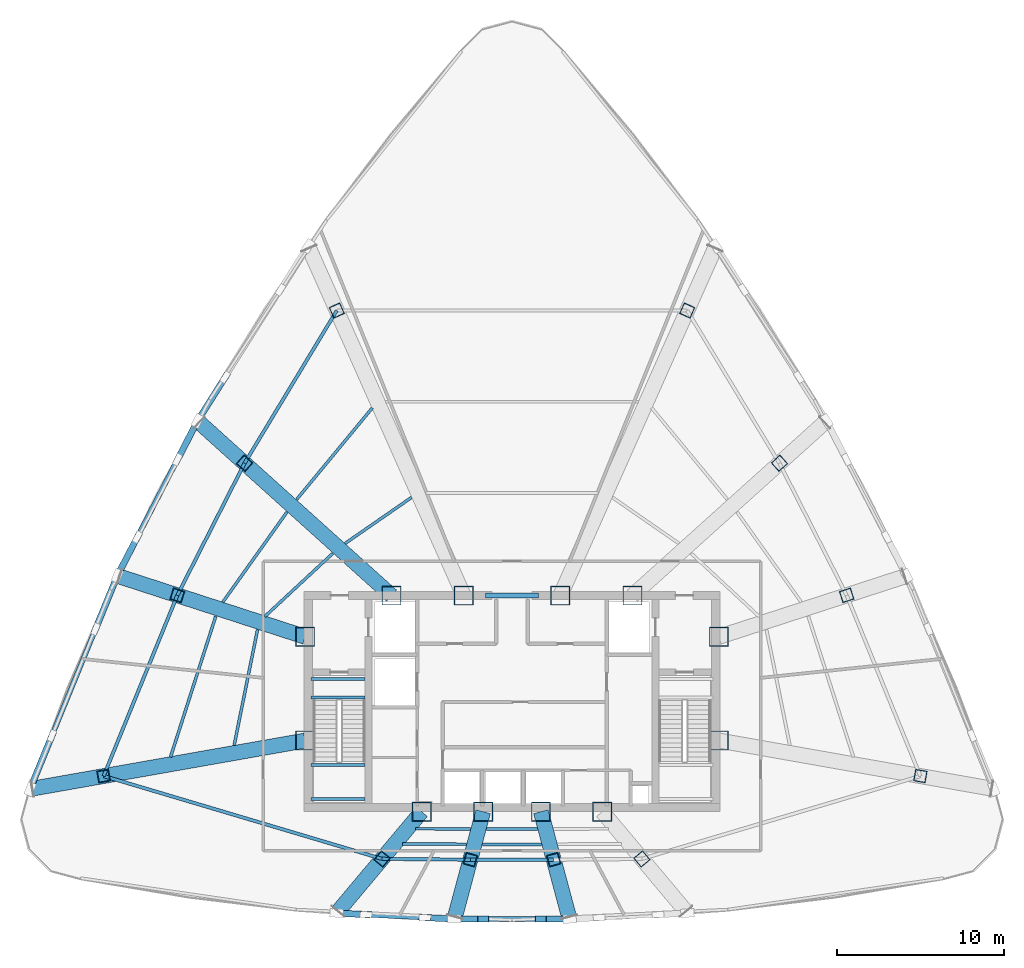
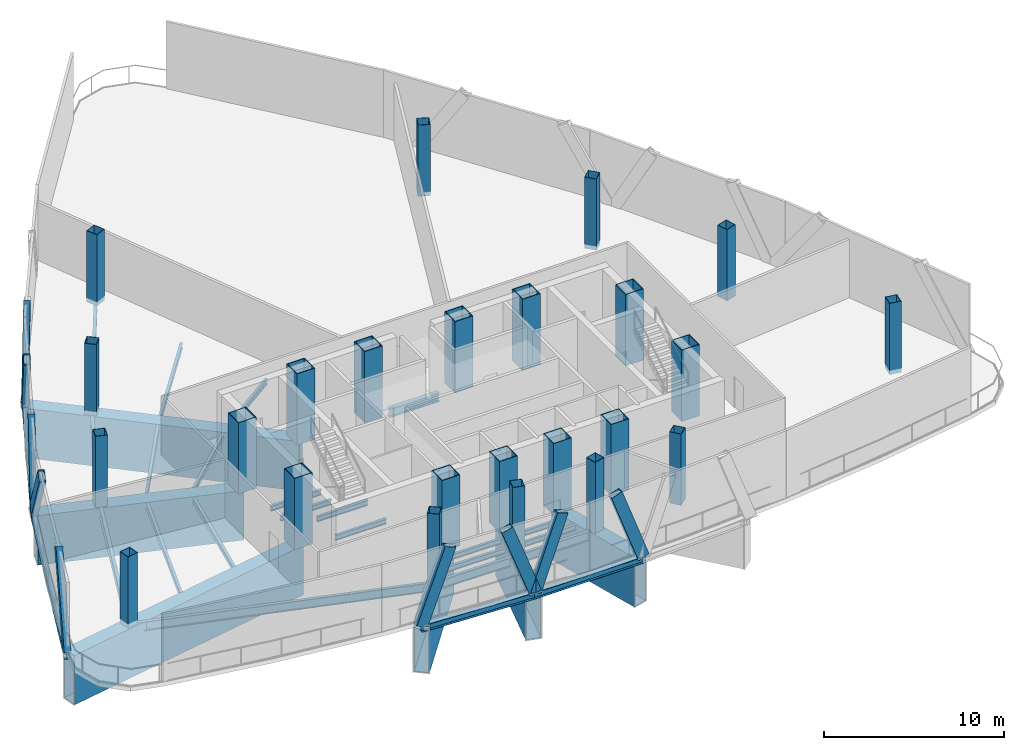
# One storey, part 1 of 12: 31 beams, 24 columns, 9 members.
"""IFC4 building model written with IfcOpenShell, lengths in metres."""

import ifcopenshell
import ifcopenshell.guid

model = None  # the IFC model being written
_history = None  # IfcOwnerHistory: only IFC2X3 demands one
_inside = {}  # id of a spatial element -> (the spatial element, [elements in it])
_under = {}  # id of a project, library or spatial element -> (it, [spatial elements below it])
_declared = {}  # id of a project -> (the project, [libraries it declares])
_typed = {}  # id of a type object -> (the type object, [elements of that type])
_made_of = {}  # id of a material, layer set ... -> (it, [elements and type objects made of it])


def new_model(schema):
    """Start an empty IFC model of exactly this schema.

    Asked for "IFC4X3", IfcOpenShell would pick the latest addendum, in which some entities
    have other attributes; the version numbers below select the first issue.
    IFC2X3 requires an IfcOwnerHistory on every rooted entity: one is made here for all.
    """
    global model, _history
    if schema == "IFC4X3":
        model = ifcopenshell.file(schema_version=(4, 3, 0, 0))
    else:
        model = ifcopenshell.file(schema=schema)
    _inside.clear()
    _under.clear()
    _declared.clear()
    _typed.clear()
    _made_of.clear()
    _history = None
    if model.schema == "IFC2X3":
        org = make("IfcOrganization", Name="unknown")
        user = make(
            "IfcPersonAndOrganization",
            ThePerson=make("IfcPerson", FamilyName="unknown"),
            TheOrganization=org,
        )
        app = make(
            "IfcApplication",
            ApplicationDeveloper=org,
            Version="unknown",
            ApplicationFullName="unknown",
            ApplicationIdentifier="unknown",
        )
        _history = make(
            "IfcOwnerHistory",
            OwningUser=user,
            OwningApplication=app,
            ChangeAction="ADDED",
            CreationDate=0,
        )
    return model


def make(cls, **values):
    """One entity of the class cls with the attributes given. An attribute that is None is left unset."""
    return model.create_entity(
        cls, **{name: value for name, value in values.items() if value is not None}
    )


def rooted(cls, **values):
    """An entity with a GlobalId (a new one), such as an element, a storey or a relation."""
    return make(cls, GlobalId=ifcopenshell.guid.new(), OwnerHistory=_history, **values)


def si_unit(unit_type, name, prefix=None):
    """IfcSIUnit, for example si_unit("LENGTHUNIT", "METRE", prefix="MILLI")."""
    return make("IfcSIUnit", UnitType=unit_type, Prefix=prefix, Name=name)


def assignment(units):
    """IfcUnitAssignment: the units of a project."""
    return None if units is None else make("IfcUnitAssignment", Units=units)


def point(xyz):
    """IfcCartesianPoint."""
    return None if xyz is None else make("IfcCartesianPoint", Coordinates=xyz)


def direction(xyz):
    """IfcDirection."""
    return None if xyz is None else make("IfcDirection", DirectionRatios=xyz)


def frame(location, z_axis=None, x_axis=None):
    """IfcAxis2Placement3D, a coordinate frame: its origin and axes. An axis left out is left unset."""
    return make(
        "IfcAxis2Placement3D",
        Location=point(location),
        Axis=direction(z_axis),
        RefDirection=direction(x_axis),
    )


def frame_2d(location, x_axis=None):
    """IfcAxis2Placement2D, a coordinate frame in the plane: its origin and x axis."""
    return make(
        "IfcAxis2Placement2D", Location=point(location), RefDirection=direction(x_axis)
    )


def origin():
    """The frame at (0, 0, 0) with its axes left unset."""
    return frame((0.0, 0.0, 0.0))


def origin_2d():
    """The frame at (0, 0) in the plane with its x axis left unset."""
    return frame_2d((0.0, 0.0))


def place(relative_to, where):
    """IfcLocalPlacement: puts the frame where relative to a parent placement (None: the world)."""
    return make(
        "IfcLocalPlacement", PlacementRelTo=relative_to, RelativePlacement=where
    )


def context(
    kind, dimensions, precision=None, world=None, true_north=None, identifier=None
):
    """IfcGeometricRepresentationContext, for example the 3D "Model" context."""
    return make(
        "IfcGeometricRepresentationContext",
        ContextIdentifier=identifier,
        ContextType=kind,
        CoordinateSpaceDimension=dimensions,
        Precision=precision,
        WorldCoordinateSystem=world,
        TrueNorth=true_north,
    )


def subcontext(parent, identifier, kind, view, scale=None):
    """IfcGeometricRepresentationSubContext, for example "Body" below "Model"."""
    return make(
        "IfcGeometricRepresentationSubContext",
        ContextIdentifier=identifier,
        ContextType=kind,
        ParentContext=parent,
        TargetScale=scale,
        TargetView=view,
    )


def project(units=None, contexts=None):
    """IfcProject with its units and contexts."""
    return rooted(
        "IfcProject",
        Name="project",
        RepresentationContexts=contexts,
        UnitsInContext=assignment(units),
    )


def spatial(cls, under=None, at=None, **own):
    """A site, building, storey or space (cls), placed at a placement, below another one or the project."""
    s = rooted(cls, ObjectPlacement=at, **own)
    if under is not None:
        _under.setdefault(under.id(), (under, []))[1].append(s)
    return s


def profile(cls, at=None, kind="AREA", **sizes):
    """A parametric profile (cls). Its sizes go by their IFC names, for example OverallWidth=200.0."""
    return make(cls, ProfileType=kind, Position=at, **sizes)


def hollow_rectangle(**sizes):
    """IfcRectangleHollowProfileDef."""
    return profile("IfcRectangleHollowProfileDef", **sizes)


def i_section(**sizes):
    """IfcIShapeProfileDef."""
    return profile("IfcIShapeProfileDef", **sizes)


def extrude(swept, where, along, depth):
    """IfcExtrudedAreaSolid: the profile swept, set in the frame where, extruded along a direction by depth."""
    return make(
        "IfcExtrudedAreaSolid",
        SweptArea=swept,
        Position=where,
        ExtrudedDirection=direction(along),
        Depth=depth,
    )


def shape(context_of_items, identifier, shape_type, items):
    """IfcShapeRepresentation: the items that make up one representation, for example the "Body"."""
    return make(
        "IfcShapeRepresentation",
        ContextOfItems=context_of_items,
        RepresentationIdentifier=identifier,
        RepresentationType=shape_type,
        Items=items,
    )


def source(mapping_origin, context_of_items, identifier, shape_type, items):
    """IfcRepresentationMap: a shape defined once, which mapped items show again and again."""
    return make(
        "IfcRepresentationMap",
        MappingOrigin=mapping_origin,
        MappedRepresentation=shape(context_of_items, identifier, shape_type, items),
    )


def transform(
    local_origin,
    x_axis=None,
    y_axis=None,
    z_axis=None,
    scale=None,
    scale2=None,
    scale3=None,
    uniform=True,
):
    """IfcCartesianTransformationOperator3D, or its non-uniform kind. x_axis, y_axis, z_axis: its Axis1, 2, 3."""
    if uniform:
        return make(
            "IfcCartesianTransformationOperator3D",
            Axis1=direction(x_axis),
            Axis2=direction(y_axis),
            LocalOrigin=point(local_origin),
            Scale=scale,
            Axis3=direction(z_axis),
        )
    return make(
        "IfcCartesianTransformationOperator3DnonUniform",
        Axis1=direction(x_axis),
        Axis2=direction(y_axis),
        LocalOrigin=point(local_origin),
        Scale=scale,
        Axis3=direction(z_axis),
        Scale2=scale2,
        Scale3=scale3,
    )


def mapped(mapping_source, mapping_target):
    """IfcMappedItem: shows the shape of a source again, moved by a transform."""
    return make(
        "IfcMappedItem", MappingSource=mapping_source, MappingTarget=mapping_target
    )


def material(Name=None, Category=None):
    """IfcMaterial."""
    return make("IfcMaterial", Name=Name, Category=Category)


def material_profile(
    of_material, cross_section, Name=None, Category=None, Priority=None
):
    """IfcMaterialProfile: a cross section and its material."""
    return make(
        "IfcMaterialProfile",
        Name=Name,
        Material=of_material,
        Profile=cross_section,
        Priority=Priority,
        Category=Category,
    )


def profile_set(profiles, Name=None, composite=None):
    """IfcMaterialProfileSet."""
    return make(
        "IfcMaterialProfileSet",
        Name=Name,
        MaterialProfiles=profiles,
        CompositeProfile=composite,
    )


def made_of(thing, what):
    """Note that an element or type object is made of a material, layer set ...; save() writes the relation."""
    if what is not None:
        _made_of.setdefault(what.id(), (what, []))[1].append(thing)
    return thing


def type_object(cls, material=None, **own):
    """A type object (cls), such as IfcWallType, which elements share."""
    return made_of(rooted(cls, **own), material)


def element(
    cls,
    number,
    at=None,
    inside=None,
    cuts=None,
    type_object=None,
    material=None,
    context=None,
    identifier="Body",
    shape_type=None,
    held_by="IfcProductDefinitionShape",
    body=None,
    shapes=None,
    **own,
):
    """One element of the class cls, such as IfcWall. Its Tag is "e" and its number.

    at: its placement. inside: the storey or other place that contains it. cuts: it is an
    opening in that element (IfcRelVoidsElement). A single representation is given by context,
    identifier, shape_type and body (its items); several are given by shapes. held_by: the class
    of the entity that holds the representations. save() writes the other relations.
    """
    e = rooted(cls, Tag="e%d" % number, ObjectPlacement=at, **own)
    if body is not None:
        shapes = [shape(context, identifier, shape_type, body)]
    if shapes is not None:
        e.Representation = make(held_by, Representations=shapes)
    if inside is not None:
        _inside.setdefault(inside.id(), (inside, []))[1].append(e)
    if cuts is not None:
        rooted(
            "IfcRelVoidsElement", RelatingBuildingElement=cuts, RelatedOpeningElement=e
        )
    if type_object is not None:
        _typed.setdefault(type_object.id(), (type_object, []))[1].append(e)
    return made_of(e, material)


def aggregate(whole, parts):
    """IfcRelAggregates: a whole, such as a stair, and the parts it consists of."""
    return rooted("IfcRelAggregates", RelatingObject=whole, RelatedObjects=parts)


def save(model, path):
    """Write the relations noted so far, then the file.

    IfcRelAggregates (storeys below a building ...), IfcRelContainedInSpatialStructure (elements
    in a storey), IfcRelDefinesByType, IfcRelAssociatesMaterial and IfcRelDeclares: one each for
    every whole, place, type object, material and project.
    """
    for whole, parts in _under.values():
        aggregate(whole, parts)
    for where, things in _inside.values():
        rooted(
            "IfcRelContainedInSpatialStructure",
            RelatedElements=things,
            RelatingStructure=where,
        )
    for kind, things in _typed.values():
        rooted("IfcRelDefinesByType", RelatedObjects=things, RelatingType=kind)
    for what, things in _made_of.values():
        rooted("IfcRelAssociatesMaterial", RelatedObjects=things, RelatingMaterial=what)
    for by, libraries in _declared.values():
        rooted("IfcRelDeclares", RelatingContext=by, RelatedDefinitions=libraries)
    model.write(path)


model = new_model("IFC4")

# Units and contexts
model_context = context("Model", 3, precision=1e-05, world=origin(), true_north=direction((0.0, 1.0)))
body_context = subcontext(model_context, "Body", "Model", "MODEL_VIEW")
ifc_project = project(units=[si_unit("LENGTHUNIT", "METRE"), si_unit("AREAUNIT", "SQUARE_METRE"), si_unit("VOLUMEUNIT", "CUBIC_METRE"), si_unit("PLANEANGLEUNIT", "RADIAN"), si_unit("MASSUNIT", "GRAM", prefix="KILO"), si_unit("THERMODYNAMICTEMPERATUREUNIT", "KELVIN"), si_unit("POWERUNIT", "WATT")], contexts=[model_context])

# Site, building, storey
site_placement = place(None, origin())
site = spatial("IfcSite", under=ifc_project, at=site_placement, CompositionType="ELEMENT")
building_placement = place(site_placement, origin())
building = spatial("IfcBuilding", under=site, at=building_placement, Name="Yunzhuo Pagoda Commons", CompositionType="ELEMENT")
storey_placement = place(building_placement, frame((0.0, 0.0, 320.7099609375)))
storey = spatial("IfcBuildingStorey", under=building, at=storey_placement, Name="L80", CompositionType="ELEMENT", Elevation=320.7099609375)

# Columns
ifc_material_1 = material(Name="Structural steel Q420B", Category="steel")
ifc_material_profile_1 = material_profile(ifc_material_1, hollow_rectangle(XDim=1.14990234375, YDim=1.14990234375, WallThickness=0.048095703125, at=origin_2d()), Name="Structural steel Q420B")
ifc_profile_set_1 = profile_set([ifc_material_profile_1], Name="Structural steel Q420B")
column_type_1 = type_object("IfcColumnType", Name="C-COR Column BOX 1150x1150x48", PredefinedType="COLUMN", material=ifc_profile_set_1)
shared_shape_1 = source(origin(), body_context, "Body", "SweptSolid", [
    extrude(hollow_rectangle(XDim=1.14990234375, YDim=1.14990234375, WallThickness=0.048095703125, at=origin_2d()), origin(), (0.0, 0.0, 1.0), 4.820068359375),
])
for number, where, z_axis, x_axis, name in (
    (1, (42.587890625, 27.25, -0.280029296875), (0.0, 0.0, 1.0), (1.0, 0.0, 0.0), "L80 core composite column F1C1"),
    (2, (46.27197265625, 27.25, -0.280029296875), (0.0, 0.0, 1.0), (1.0, 0.0, 0.0), "L80 core composite column F1C2"),
    (3, (49.728515625, 27.25, -0.280029296875), (0.0, 0.0, 1.0), (1.0, 0.0, 0.0), "L80 core composite column F1C3"),
    (4, (53.412109375, 27.25, -0.280029296875), (0.0, 0.0, 1.0), (1.0, 0.0, 0.0), "L80 core composite column F1C4"),
    (5, (60.39990234375, 31.513427734375, -0.280029296875), (0.0, 0.0, 1.0), (1.0, 0.0, 0.0), "L80 core composite column F2C1"),
    (6, (60.39990234375, 37.72900390625, -0.280029296875), (0.0, 0.0, 1.0), (1.0, 0.0, 0.0), "L80 core composite column F2C2"),
    (7, (55.218994140625, 40.199951171875, -0.280029296875), (0.0, 0.0, 1.0), (1.0, 0.0, 0.0), "L80 core composite column F2C3"),
    (8, (50.89404296875, 40.199951171875, -0.280029296875), (0.0, 0.0, 1.0), (1.0, 0.0, 0.0), "L80 core composite column F2C4"),
    (9, (45.10595703125, 40.199951171875, -0.280029296875), (0.0, 0.0, 1.0), (1.0, 0.0, 0.0), "L80 core composite column F3C1"),
    (10, (40.781005859375, 40.199951171875, -0.280029296875), (0.0, 0.0, 1.0), (1.0, 0.0, 0.0), "L80 core composite column F3C2"),
    (11, (35.60009765625, 37.72900390625, -0.280029296875), (0.0, 0.0, 1.0), (1.0, 0.0, 0.0), "L80 core composite column F3C3"),
    (12, (35.60009765625, 31.513427734375, -0.280029296875), (0.0, 0.0, 1.0), (1.0, 0.0, 0.0), "L80 core composite column F3C4"),
):
    element("IfcColumn", number, at=place(storey_placement, frame(where, z_axis=z_axis, x_axis=x_axis)), inside=storey, type_object=column_type_1, Name=name, PredefinedType="COLUMN", context=body_context, shape_type="MappedRepresentation", body=[
        mapped(shared_shape_1, transform((0.0, 0.0, 0.0), scale=1.0)),
    ])
ifc_material_2 = material(Name="Structural steel Q355B", Category="steel")
ifc_material_profile_2 = material_profile(ifc_material_2, hollow_rectangle(XDim=0.699951171875, YDim=0.699951171875, WallThickness=0.02587890625, at=origin_2d()), Name="Structural steel Q355B")
ifc_profile_set_2 = profile_set([ifc_material_profile_2], Name="Structural steel Q355B")
column_type_2 = type_object("IfcColumnType", Name="C-Z7 Column BOX 700x700x26", PredefinedType="COLUMN", material=ifc_profile_set_2)
shared_shape_2 = source(origin(), body_context, "Body", "SweptSolid", [
    extrude(hollow_rectangle(XDim=0.699951171875, YDim=0.699951171875, WallThickness=0.02587890625, at=origin_2d()), origin(), (0.0, 0.0, 1.0), 4.820068359375),
])
for number, where, z_axis, x_axis, name in (
    (13, (40.214599609375, 24.421630859375, -0.280029296875), (0.0, 0.0, 1.0), (0.766044443119, -0.642787609687, 0.0), "L80 tower column F1C1"),
    (14, (45.500732421875, 24.372802734375, -0.280029296875), (0.0, 0.0, 1.0), (0.965925826289, -0.258819045103, 0.0), "L80 tower column F1C2"),
    (15, (50.499267578125, 24.372802734375, -0.280029296875), (0.0, 0.0, 1.0), (0.965925826289, 0.258819045103, 0.0), "L80 tower column F1C3"),
    (16, (55.785400390625, 24.421630859375, -0.280029296875), (0.0, 0.0, 1.0), (0.766044443119, 0.642787609687, 0.0), "L80 tower column F1C4"),
    (17, (72.47021484375, 29.38525390625, -0.280029296875), (0.0, 0.0, 1.0), (0.173648177667, 0.984807753012, 0.0), "L80 tower column F2C1"),
    (18, (68.053466796875, 40.2158203125, -0.280029296875), (0.0, 0.0, 1.0), (-0.309016994375, 0.951056516295, 0.0), "L80 tower column F2C2"),
    (19, (64.024658203125, 48.128662109375, -0.280029296875), (0.0, 0.0, 1.0), (-0.669130606359, 0.743144825477, 0.0), "L80 tower column F2C3"),
    (20, (58.498779296875, 57.281005859375, -0.280029296875), (0.0, 0.0, 1.0), (-0.913545457643, 0.406736643076, 0.0), "L80 tower column F2C4"),
    (21, (37.501220703125, 57.281005859375, -0.280029296875), (0.0, 0.0, 1.0), (-0.913545457643, -0.406736643076, 0.0), "L80 tower column F3C1"),
    (22, (31.975341796875, 48.128662109375, -0.280029296875), (0.0, 0.0, 1.0), (-0.669130606359, -0.743144825477, 0.0), "L80 tower column F3C2"),
    (23, (27.946533203125, 40.2158203125, -0.280029296875), (0.0, 0.0, 1.0), (-0.309016994375, -0.951056516295, 0.0), "L80 tower column F3C3"),
    (24, (23.52978515625, 29.38525390625, -0.280029296875), (0.0, 0.0, 1.0), (0.173648177667, -0.984807753012, 0.0), "L80 tower column F3C4"),
):
    element("IfcColumn", number, at=place(storey_placement, frame(where, z_axis=z_axis, x_axis=x_axis)), inside=storey, type_object=column_type_2, Name=name, PredefinedType="COLUMN", context=body_context, shape_type="MappedRepresentation", body=[
        mapped(shared_shape_2, transform((0.0, 0.0, 0.0), scale=1.0)),
    ])

# Beams
ifc_material_profile_3 = material_profile(ifc_material_2, i_section(OverallWidth=0.175048828125, OverallDepth=0.35009765625, WebThickness=0.007080078125, FlangeThickness=0.010986328125, at=origin_2d()), Name="Structural steel Q355B")
ifc_profile_set_3 = profile_set([ifc_material_profile_3], Name="Structural steel Q355B")
beam_type_1 = type_object("IfcBeamType", Name="B-JS2 Joist HN 350x175x7x11", PredefinedType="JOIST", material=ifc_profile_set_3)
shared_shape_3 = source(origin(), body_context, "Body", "SweptSolid", [
    extrude(i_section(OverallWidth=0.175048828125, OverallDepth=0.35009765625, WebThickness=0.007080078125, FlangeThickness=0.010986328125, at=origin_2d()), origin(), (0.0, 0.0, 1.0), 3.25),
])
for number, where, z_axis, x_axis, name in (
    (25, (35.949951171875, 28.0, 2.025146484375), (1.0, 0.0, 0.0), (0.0, 1.0, 0.0), "L80 ST1 landing support beam 86A"),
    (26, (35.949951171875, 30.06005859375, 2.025146484375), (1.0, 0.0, 0.0), (0.0, 1.0, 0.0), "L80 ST1 landing support beam 86B"),
    (27, (35.949951171875, 34.10009765625, -0.375), (1.0, 0.0, 0.0), (0.0, 1.0, 0.0), "L80 ST1 landing support beam 184A"),
    (28, (35.949951171875, 35.199951171875, -0.375), (1.0, 0.0, 0.0), (0.0, 1.0, 0.0), "L80 ST1 landing support beam 184B"),
):
    element("IfcBeam", number, at=place(storey_placement, frame(where, z_axis=z_axis, x_axis=x_axis)), inside=storey, type_object=beam_type_1, Name=name, PredefinedType="JOIST", context=body_context, shape_type="MappedRepresentation", body=[
        mapped(shared_shape_3, transform((0.0, 0.0, 0.0), scale=1.0)),
    ])
ifc_material_profile_4 = material_profile(ifc_material_1, i_section(OverallWidth=0.300048828125, OverallDepth=0.587890625, WebThickness=0.011962890625, FlangeThickness=0.02001953125, at=origin_2d()), Name="Structural steel Q420B")
ifc_profile_set_4 = profile_set([ifc_material_profile_4], Name="Structural steel Q420B")
beam_type_2 = type_object("IfcBeamType", Name="B-CPL Beam HM 588x300x12x20", PredefinedType="BEAM", material=ifc_profile_set_4)
shared_shape_4 = source(origin(), body_context, "Body", "SweptSolid", [
    extrude(i_section(OverallWidth=0.300048828125, OverallDepth=0.587890625, WebThickness=0.011962890625, FlangeThickness=0.02001953125, at=origin_2d()), origin(), (0.0, 0.0, 1.0), 3.2001953125),
])
beam_1_placement = place(storey_placement, frame((46.39990234375, 40.199951171875, -0.573974609375), z_axis=(1.0, 0.0, 0.0), x_axis=(0.0, 1.0, 0.0)))
element("IfcBeam", 29, at=beam_1_placement, inside=storey, type_object=beam_type_2, Name="L80 core coupling girder", PredefinedType="BEAM", context=body_context, shape_type="MappedRepresentation", body=[
    mapped(shared_shape_4, transform((0.0, 0.0, 0.0), scale=1.0)),
])
ifc_material_profile_5 = material_profile(ifc_material_1, hollow_rectangle(XDim=0.89990234375, YDim=3.35009765625, WallThickness=0.048095703125, at=origin_2d()), Name="Structural steel Q420B")
ifc_profile_set_5 = profile_set([ifc_material_profile_5], Name="Structural steel Q420B")
beam_type_3 = type_object("IfcBeamType", Name="BTR-2 Beam BOX 3350x900x48", PredefinedType="BEAM", material=ifc_profile_set_5)
shared_shape_5 = source(origin(), body_context, "Body", "SweptSolid", [
    extrude(hollow_rectangle(XDim=0.89990234375, YDim=3.35009765625, WallThickness=0.048095703125, at=origin_2d()), origin(), (0.0, 0.0, 1.0), 7.78271484375),
])
beam_2_placement = place(storey_placement, frame((37.585205078125, 21.2880859375, -1.955078125), z_axis=(0.642791052162, 0.766041554526, 0.0), x_axis=(-0.766041554526, 0.642791052162, 0.0)))
element("IfcBeam", 30, at=beam_2_placement, inside=storey, type_object=beam_type_3, Name="BTR-2 L80 collinear transfer girder F1C1", PredefinedType="BEAM", context=body_context, shape_type="MappedRepresentation", body=[
    mapped(shared_shape_5, transform((0.0, 0.0, 0.0), scale=1.0)),
])
shared_shape_6 = source(origin(), body_context, "Body", "SweptSolid", [
    extrude(hollow_rectangle(XDim=0.89990234375, YDim=3.35009765625, WallThickness=0.048095703125, at=origin_2d()), origin(), (0.0, 0.0, 1.0), 6.5048828125),
])
for number, where, z_axis, x_axis, name in (
    (31, (44.588134765625, 20.966796875, -1.955078125), (0.258856148938, 0.965915883583, 0.0), (-0.965915883583, 0.258856148938, 0.0), "BTR-2 L80 collinear transfer girder F1C2"),
    (32, (51.411865234375, 20.966796875, -1.955078125), (-0.258786113229, 0.965934649756, 0.0), (-0.965934649756, -0.258786113229, 0.0), "BTR-2 L80 collinear transfer girder F1C3"),
):
    element("IfcBeam", number, at=place(storey_placement, frame(where, z_axis=z_axis, x_axis=x_axis)), inside=storey, type_object=beam_type_3, Name=name, PredefinedType="BEAM", context=body_context, shape_type="MappedRepresentation", body=[
        mapped(shared_shape_6, transform((0.0, 0.0, 0.0), scale=1.0)),
    ])
shared_shape_7 = source(origin(), body_context, "Body", "SweptSolid", [
    extrude(hollow_rectangle(XDim=0.89990234375, YDim=3.35009765625, WallThickness=0.048095703125, at=origin_2d()), origin(), (0.0, 0.0, 1.0), 16.576416015625),
])
beam_3_placement = place(storey_placement, frame((19.275390625, 28.635009765625, -1.955078125), z_axis=(0.984808457955, 0.173644179692, 0.0), x_axis=(-0.173644179692, 0.984808457955, 0.0)))
element("IfcBeam", 33, at=beam_3_placement, inside=storey, type_object=beam_type_3, Name="BTR-2 L80 collinear transfer girder F3C4", PredefinedType="BEAM", context=body_context, shape_type="MappedRepresentation", body=[
    mapped(shared_shape_7, transform((0.0, 0.0, 0.0), scale=1.0)),
])
shared_shape_8 = source(origin(), body_context, "Body", "SweptSolid", [
    extrude(hollow_rectangle(XDim=0.89990234375, YDim=3.35009765625, WallThickness=0.048095703125, at=origin_2d()), origin(), (0.0, 0.0, 1.0), 15.487548828125),
])
beam_4_placement = place(storey_placement, frame((29.271484375, 50.563232421875, -1.955078125), z_axis=(0.743142849048, -0.6691328014, 0.0), x_axis=(0.6691328014, 0.743142849048, 0.0)))
element("IfcBeam", 34, at=beam_4_placement, inside=storey, type_object=beam_type_3, Name="BTR-2 L80 collinear transfer girder F3C2", PredefinedType="BEAM", context=body_context, shape_type="MappedRepresentation", body=[
    mapped(shared_shape_8, transform((0.0, 0.0, 0.0), scale=1.0)),
])
shared_shape_9 = source(origin(), body_context, "Body", "SweptSolid", [
    extrude(hollow_rectangle(XDim=0.89990234375, YDim=3.35009765625, WallThickness=0.048095703125, at=origin_2d()), origin(), (0.0, 0.0, 1.0), 11.67578125),
])
beam_5_placement = place(storey_placement, frame((24.495849609375, 41.3369140625, -1.955078125), z_axis=(0.951058498421, -0.309010893953, 0.0), x_axis=(0.309010893953, 0.951058498421, 0.0)))
element("IfcBeam", 35, at=beam_5_placement, inside=storey, type_object=beam_type_3, Name="BTR-2 L80 collinear transfer girder F3C3", PredefinedType="BEAM", context=body_context, shape_type="MappedRepresentation", body=[
    mapped(shared_shape_9, transform((0.0, 0.0, 0.0), scale=1.0)),
])
ifc_material_profile_6 = material_profile(ifc_material_2, i_section(OverallWidth=0.300048828125, OverallDepth=0.43994140625, WebThickness=0.010986328125, FlangeThickness=0.01806640625, at=origin_2d()), Name="Structural steel Q355B")
ifc_profile_set_6 = profile_set([ifc_material_profile_6], Name="Structural steel Q355B")
beam_type_4 = type_object("IfcBeamType", Name="B-SP2 Beam HM 440x300x11x18", PredefinedType="BEAM", material=ifc_profile_set_6)
shared_shape_10 = source(origin(), body_context, "Body", "SweptSolid", [
    extrude(i_section(OverallWidth=0.300048828125, OverallDepth=0.43994140625, WebThickness=0.010986328125, FlangeThickness=0.01806640625, at=origin_2d()), origin(), (0.0, 0.0, 1.0), 7.0712890625),
])
beam_6_placement = place(storey_placement, frame((37.485595703125, 21.16943359375, -0.5), z_axis=(0.998758186738, -0.049820522105, 0.0), x_axis=(0.049820522105, 0.998758186738, 0.0)))
element("IfcBeam", 36, at=beam_6_placement, inside=storey, type_object=beam_type_4, Name="L80 facade edge spandrel beam F1.1", PredefinedType="BEAM", context=body_context, shape_type="MappedRepresentation", body=[
    mapped(shared_shape_10, transform((0.0, 0.0, 0.0), scale=1.0)),
])
shared_shape_11 = source(origin(), body_context, "Body", "SweptSolid", [
    extrude(i_section(OverallWidth=0.300048828125, OverallDepth=0.43994140625, WebThickness=0.010986328125, FlangeThickness=0.01806640625, at=origin_2d()), origin(), (0.0, 0.0, 1.0), 6.90380859375),
])
beam_7_placement = place(storey_placement, frame((44.548095703125, 20.817138671875, -0.5), z_axis=(1.0, 0.0, 0.0), x_axis=(0.0, 1.0, 0.0)))
element("IfcBeam", 37, at=beam_7_placement, inside=storey, type_object=beam_type_4, Name="L80 facade edge spandrel beam F1.2", PredefinedType="BEAM", context=body_context, shape_type="MappedRepresentation", body=[
    mapped(shared_shape_11, transform((0.0, 0.0, 0.0), scale=1.0)),
])
shared_shape_12 = source(origin(), body_context, "Body", "SweptSolid", [
    extrude(i_section(OverallWidth=0.300048828125, OverallDepth=0.43994140625, WebThickness=0.010986328125, FlangeThickness=0.01806640625, at=origin_2d()), origin(), (0.0, 0.0, 1.0), 13.80419921875),
])
beam_8_placement = place(storey_placement, frame((24.348388671875, 41.385009765625, -0.5), z_axis=(-0.378566733914, -0.925573999189, 0.0), x_axis=(0.925573999189, -0.378566733914, 0.0)))
element("IfcBeam", 38, at=beam_8_placement, inside=storey, type_object=beam_type_4, Name="L80 facade edge spandrel beam F3.3", PredefinedType="BEAM", context=body_context, shape_type="MappedRepresentation", body=[
    mapped(shared_shape_12, transform((0.0, 0.0, 0.0), scale=1.0)),
])
shared_shape_13 = source(origin(), body_context, "Body", "SweptSolid", [
    extrude(i_section(OverallWidth=0.300048828125, OverallDepth=0.43994140625, WebThickness=0.010986328125, FlangeThickness=0.01806640625, at=origin_2d()), origin(), (0.0, 0.0, 1.0), 10.453369140625),
])
beam_9_placement = place(storey_placement, frame((29.15625, 50.6669921875, -0.5), z_axis=(-0.459938764451, -0.887950636553, 0.0), x_axis=(0.887950636553, -0.459938764451, 0.0)))
element("IfcBeam", 39, at=beam_9_placement, inside=storey, type_object=beam_type_4, Name="L80 facade edge spandrel beam F3.2", PredefinedType="BEAM", context=body_context, shape_type="MappedRepresentation", body=[
    mapped(shared_shape_13, transform((0.0, 0.0, 0.0), scale=1.0)),
])
ifc_material_profile_7 = material_profile(ifc_material_2, i_section(OverallWidth=0.199951171875, OverallDepth=0.60009765625, WebThickness=0.010986328125, FlangeThickness=0.01708984375, at=origin_2d()), Name="Structural steel Q355B")
ifc_profile_set_7 = profile_set([ifc_material_profile_7], Name="Structural steel Q355B")
beam_type_5 = type_object("IfcBeamType", Name="B-RG3 Beam HN 600x200x11x17", PredefinedType="BEAM", material=ifc_profile_set_7)
shared_shape_14 = source(origin(), body_context, "Body", "SweptSolid", [
    extrude(i_section(OverallWidth=0.199951171875, OverallDepth=0.60009765625, WebThickness=0.010986328125, FlangeThickness=0.01708984375, at=origin_2d()), origin(), (0.0, 0.0, 1.0), 5.286376953125),
])
beam_10_placement = place(storey_placement, frame((40.214599609375, 24.421630859375, -0.580078125), z_axis=(0.999957341442, -0.009236627946, 0.0), x_axis=(0.009236627946, 0.999957341442, 0.0)))
element("IfcBeam", 40, at=beam_10_placement, inside=storey, type_object=beam_type_5, Name="L80 column-ring beam 1", PredefinedType="BEAM", context=body_context, shape_type="MappedRepresentation", body=[
    mapped(shared_shape_14, transform((0.0, 0.0, 0.0), scale=1.0)),
])
shared_shape_15 = source(origin(), body_context, "Body", "SweptSolid", [
    extrude(i_section(OverallWidth=0.175048828125, OverallDepth=0.35009765625, WebThickness=0.007080078125, FlangeThickness=0.010986328125, at=origin_2d()), origin(), (0.0, 0.0, 1.0), 3.306640625),
])
beam_11_placement = place(storey_placement, frame((42.21044921875, 26.229736328125, -0.455078125), z_axis=(0.999991754896, -0.004060805266, 0.0), x_axis=(0.004060805266, 0.999991754896, 0.0)))
element("IfcBeam", 41, at=beam_11_placement, inside=storey, type_object=beam_type_1, Name="L80 composite ring joist 1.1", PredefinedType="JOIST", context=body_context, shape_type="MappedRepresentation", body=[
    mapped(shared_shape_15, transform((0.0, 0.0, 0.0), scale=1.0)),
])
shared_shape_16 = source(origin(), body_context, "Body", "SweptSolid", [
    extrude(i_section(OverallWidth=0.175048828125, OverallDepth=0.35009765625, WebThickness=0.007080078125, FlangeThickness=0.010986328125, at=origin_2d()), origin(), (0.0, 0.0, 1.0), 3.819580078125),
])
beam_12_placement = place(storey_placement, frame((41.450927734375, 25.323486328125, -0.455078125), z_axis=(0.999975730767, -0.006966913049, 0.0), x_axis=(0.006966913049, 0.999975730767, 0.0)))
element("IfcBeam", 42, at=beam_12_placement, inside=storey, type_object=beam_type_1, Name="L80 composite ring joist 2.1", PredefinedType="JOIST", context=body_context, shape_type="MappedRepresentation", body=[
    mapped(shared_shape_16, transform((0.0, 0.0, 0.0), scale=1.0)),
])
shared_shape_17 = source(origin(), body_context, "Body", "SweptSolid", [
    extrude(i_section(OverallWidth=0.199951171875, OverallDepth=0.60009765625, WebThickness=0.010986328125, FlangeThickness=0.01708984375, at=origin_2d()), origin(), (0.0, 0.0, 1.0), 4.99853515625),
])
beam_13_placement = place(storey_placement, frame((45.500732421875, 24.372802734375, -0.580078125), z_axis=(1.0, 0.0, 0.0), x_axis=(0.0, 1.0, 0.0)))
element("IfcBeam", 43, at=beam_13_placement, inside=storey, type_object=beam_type_5, Name="L80 column-ring beam 2", PredefinedType="BEAM", context=body_context, shape_type="MappedRepresentation", body=[
    mapped(shared_shape_17, transform((0.0, 0.0, 0.0), scale=1.0)),
])
shared_shape_18 = source(origin(), body_context, "Body", "SweptSolid", [
    extrude(i_section(OverallWidth=0.175048828125, OverallDepth=0.35009765625, WebThickness=0.007080078125, FlangeThickness=0.010986328125, at=origin_2d()), origin(), (0.0, 0.0, 1.0), 3.0576171875),
])
beam_14_placement = place(storey_placement, frame((46.47119140625, 26.214111328125, -0.455078125), z_axis=(1.0, 0.0, 0.0), x_axis=(0.0, 1.0, 0.0)))
element("IfcBeam", 44, at=beam_14_placement, inside=storey, type_object=beam_type_1, Name="L80 composite ring joist 1.2", PredefinedType="JOIST", context=body_context, shape_type="MappedRepresentation", body=[
    mapped(shared_shape_18, transform((0.0, 0.0, 0.0), scale=1.0)),
])
shared_shape_19 = source(origin(), body_context, "Body", "SweptSolid", [
    extrude(i_section(OverallWidth=0.175048828125, OverallDepth=0.35009765625, WebThickness=0.007080078125, FlangeThickness=0.010986328125, at=origin_2d()), origin(), (0.0, 0.0, 1.0), 3.55078125),
])
beam_15_placement = place(storey_placement, frame((46.224609375, 25.29345703125, -0.455078125), z_axis=(1.0, 0.0, 0.0), x_axis=(0.0, 1.0, 0.0)))
element("IfcBeam", 45, at=beam_15_placement, inside=storey, type_object=beam_type_1, Name="L80 composite ring joist 2.2", PredefinedType="JOIST", context=body_context, shape_type="MappedRepresentation", body=[
    mapped(shared_shape_19, transform((0.0, 0.0, 0.0), scale=1.0)),
])
shared_shape_20 = source(origin(), body_context, "Body", "SweptSolid", [
    extrude(i_section(OverallWidth=0.199951171875, OverallDepth=0.60009765625, WebThickness=0.010986328125, FlangeThickness=0.01708984375, at=origin_2d()), origin(), (0.0, 0.0, 1.0), 17.407470703125),
])
beam_16_placement = place(storey_placement, frame((23.52978515625, 29.38525390625, -0.580078125), z_axis=(0.958484984609, -0.285143006717, 0.0), x_axis=(0.285143006717, 0.958484984609, 0.0)))
element("IfcBeam", 46, at=beam_16_placement, inside=storey, type_object=beam_type_5, Name="L80 column-ring beam 12", PredefinedType="BEAM", context=body_context, shape_type="MappedRepresentation", body=[
    mapped(shared_shape_20, transform((0.0, 0.0, 0.0), scale=1.0)),
])
shared_shape_21 = source(origin(), body_context, "Body", "SweptSolid", [
    extrude(i_section(OverallWidth=0.199951171875, OverallDepth=0.60009765625, WebThickness=0.010986328125, FlangeThickness=0.01708984375, at=origin_2d()), origin(), (0.0, 0.0, 1.0), 11.696533203125),
])
beam_17_placement = place(storey_placement, frame((27.946533203125, 40.2158203125, -0.580078125), z_axis=(-0.377611800863, -0.925963999219, 0.0), x_axis=(0.925963999219, -0.377611800863, 0.0)))
element("IfcBeam", 47, at=beam_17_placement, inside=storey, type_object=beam_type_5, Name="L80 column-ring beam 11", PredefinedType="BEAM", context=body_context, shape_type="MappedRepresentation", body=[
    mapped(shared_shape_21, transform((0.0, 0.0, 0.0), scale=1.0)),
])
shared_shape_22 = source(origin(), body_context, "Body", "SweptSolid", [
    extrude(i_section(OverallWidth=0.175048828125, OverallDepth=0.35009765625, WebThickness=0.007080078125, FlangeThickness=0.010986328125, at=origin_2d()), origin(), (0.0, 0.0, 1.0), 7.08203125),
])
beam_18_placement = place(storey_placement, frame((32.75048828125, 38.15673828125, -0.455078125), z_axis=(-0.197879282524, -0.980226397088, 0.0), x_axis=(0.980226397088, -0.197879282524, 0.0)))
element("IfcBeam", 48, at=beam_18_placement, inside=storey, type_object=beam_type_1, Name="L80 composite ring joist 1.11", PredefinedType="JOIST", context=body_context, shape_type="MappedRepresentation", body=[
    mapped(shared_shape_22, transform((0.0, 0.0, 0.0), scale=1.0)),
])
shared_shape_23 = source(origin(), body_context, "Body", "SweptSolid", [
    extrude(i_section(OverallWidth=0.175048828125, OverallDepth=0.35009765625, WebThickness=0.007080078125, FlangeThickness=0.010986328125, at=origin_2d()), origin(), (0.0, 0.0, 1.0), 8.869873046875),
])
beam_19_placement = place(storey_placement, frame((30.249755859375, 38.9658203125, -0.455078125), z_axis=(-0.305713365988, -0.952123593793, 0.0), x_axis=(0.952123593793, -0.305713365988, 0.0)))
element("IfcBeam", 49, at=beam_19_placement, inside=storey, type_object=beam_type_1, Name="L80 composite ring joist 2.11", PredefinedType="JOIST", context=body_context, shape_type="MappedRepresentation", body=[
    mapped(shared_shape_23, transform((0.0, 0.0, 0.0), scale=1.0)),
])
shared_shape_24 = source(origin(), body_context, "Body", "SweptSolid", [
    extrude(i_section(OverallWidth=0.199951171875, OverallDepth=0.60009765625, WebThickness=0.010986328125, FlangeThickness=0.01708984375, at=origin_2d()), origin(), (0.0, 0.0, 1.0), 8.87939453125),
])
beam_20_placement = place(storey_placement, frame((31.975341796875, 48.128662109375, -0.580078125), z_axis=(-0.453723535687, -0.891142498798, 0.0), x_axis=(0.891142498798, -0.453723535687, 0.0)))
element("IfcBeam", 50, at=beam_20_placement, inside=storey, type_object=beam_type_5, Name="L80 column-ring beam 10", PredefinedType="BEAM", context=body_context, shape_type="MappedRepresentation", body=[
    mapped(shared_shape_24, transform((0.0, 0.0, 0.0), scale=1.0)),
])
shared_shape_25 = source(origin(), body_context, "Body", "SweptSolid", [
    extrude(i_section(OverallWidth=0.175048828125, OverallDepth=0.35009765625, WebThickness=0.007080078125, FlangeThickness=0.010986328125, at=origin_2d()), origin(), (0.0, 0.0, 1.0), 5.55322265625),
])
beam_21_placement = place(storey_placement, frame((37.26171875, 42.7294921875, -0.455078125), z_axis=(-0.73248494532, -0.680783228994, 0.0), x_axis=(0.680783228994, -0.73248494532, 0.0)))
element("IfcBeam", 51, at=beam_21_placement, inside=storey, type_object=beam_type_1, Name="L80 composite ring joist 1.10", PredefinedType="JOIST", context=body_context, shape_type="MappedRepresentation", body=[
    mapped(shared_shape_25, transform((0.0, 0.0, 0.0), scale=1.0)),
])
shared_shape_26 = source(origin(), body_context, "Body", "SweptSolid", [
    extrude(i_section(OverallWidth=0.175048828125, OverallDepth=0.35009765625, WebThickness=0.007080078125, FlangeThickness=0.010986328125, at=origin_2d()), origin(), (0.0, 0.0, 1.0), 6.623779296875),
])
beam_22_placement = place(storey_placement, frame((34.516357421875, 45.202880859375, -0.455078125), z_axis=(-0.580331322186, -0.814380474036, 0.0), x_axis=(0.814380474036, -0.580331322186, 0.0)))
element("IfcBeam", 52, at=beam_22_placement, inside=storey, type_object=beam_type_1, Name="L80 composite ring joist 2.10", PredefinedType="JOIST", context=body_context, shape_type="MappedRepresentation", body=[
    mapped(shared_shape_26, transform((0.0, 0.0, 0.0), scale=1.0)),
])
shared_shape_27 = source(origin(), body_context, "Body", "SweptSolid", [
    extrude(i_section(OverallWidth=0.199951171875, OverallDepth=0.60009765625, WebThickness=0.010986328125, FlangeThickness=0.01708984375, at=origin_2d()), origin(), (0.0, 0.0, 1.0), 10.691162109375),
])
beam_23_placement = place(storey_placement, frame((37.501220703125, 57.281005859375, -0.580078125), z_axis=(-0.516864678433, -0.856067114301, 0.0), x_axis=(0.856067114301, -0.516864678433, 0.0)))
element("IfcBeam", 53, at=beam_23_placement, inside=storey, type_object=beam_type_5, Name="L80 column-ring beam 9", PredefinedType="BEAM", context=body_context, shape_type="MappedRepresentation", body=[
    mapped(shared_shape_27, transform((0.0, 0.0, 0.0), scale=1.0)),
])
shared_shape_28 = source(origin(), body_context, "Body", "SweptSolid", [
    extrude(i_section(OverallWidth=0.175048828125, OverallDepth=0.35009765625, WebThickness=0.007080078125, FlangeThickness=0.010986328125, at=origin_2d()), origin(), (0.0, 0.0, 1.0), 4.832763671875),
])
beam_24_placement = place(storey_placement, frame((41.97607421875, 46.077392578125, -0.455078125), z_axis=(-0.822095789591, -0.56934920105, 0.0), x_axis=(0.56934920105, -0.822095789591, 0.0)))
element("IfcBeam", 54, at=beam_24_placement, inside=storey, type_object=beam_type_1, Name="L80 composite ring joist 1.9", PredefinedType="JOIST", context=body_context, shape_type="MappedRepresentation", body=[
    mapped(shared_shape_28, transform((0.0, 0.0, 0.0), scale=1.0)),
])
shared_shape_29 = source(origin(), body_context, "Body", "SweptSolid", [
    extrude(i_section(OverallWidth=0.175048828125, OverallDepth=0.35009765625, WebThickness=0.007080078125, FlangeThickness=0.010986328125, at=origin_2d()), origin(), (0.0, 0.0, 1.0), 7.118408203125),
])
beam_25_placement = place(storey_placement, frame((39.630859375, 51.447265625, -0.455078125), z_axis=(-0.636926648368, -0.770924409134, 0.0), x_axis=(0.770924409134, -0.636926648368, 0.0)))
element("IfcBeam", 55, at=beam_25_placement, inside=storey, type_object=beam_type_1, Name="L80 composite ring joist 2.9", PredefinedType="JOIST", context=body_context, shape_type="MappedRepresentation", body=[
    mapped(shared_shape_29, transform((0.0, 0.0, 0.0), scale=1.0)),
])

# Members
ifc_material_profile_8 = material_profile(ifc_material_2, hollow_rectangle(XDim=0.3798828125, YDim=0.719970703125, WallThickness=0.02001953125, at=origin_2d()), Name="Structural steel Q355B")
ifc_profile_set_8 = profile_set([ifc_material_profile_8], Name="Structural steel Q355B")
member_type = type_object("IfcMemberType", Name="M-DL3 Brace BOX 720x380x20", PredefinedType="BRACE", material=ifc_profile_set_8)
shared_shape_30 = source(origin(), body_context, "Body", "SweptSolid", [
    extrude(hollow_rectangle(XDim=0.3798828125, YDim=0.719970703125, WallThickness=0.02001953125, at=origin_2d()), origin(), (0.0, 0.0, 1.0), 5.134033203125),
])
for number, where, z_axis, x_axis, name in (
    (56, (37.485595703125, 21.16943359375, -0.280029296875), (0.343906286104, -0.017166782257, 0.938847041836), (0.049854961977, 0.998756468197, 0.0), "L80 facade diamond brace F1.1L"),
    (57, (44.548095703125, 20.817138671875, -0.280029296875), (-0.34390656646, 0.017119242799, 0.938847807193), (-0.049717201424, -0.998763335271, 0.0), "L80 facade diamond brace F1.1R"),
):
    element("IfcMember", number, at=place(storey_placement, frame(where, z_axis=z_axis, x_axis=x_axis)), inside=storey, type_object=member_type, Name=name, PredefinedType="BRACE", context=body_context, shape_type="MappedRepresentation", body=[
        mapped(shared_shape_30, transform((0.0, 0.0, 0.0), scale=1.0)),
    ])
shared_shape_31 = source(origin(), body_context, "Body", "SweptSolid", [
    extrude(hollow_rectangle(XDim=0.3798828125, YDim=0.719970703125, WallThickness=0.02001953125, at=origin_2d()), origin(), (0.0, 0.0, 1.0), 5.11962890625),
])
for number, where, z_axis, x_axis, name in (
    (58, (44.548095703125, 20.817138671875, -0.280029296875), (0.337094521882, 0.0, 0.941470808532), (0.0, 1.0, 0.0), "L80 facade diamond brace F1.2L"),
    (59, (51.451904296875, 20.817138671875, -0.280029296875), (-0.337094521882, 0.0, 0.941470808532), (0.0, -1.0, 0.0), "L80 facade diamond brace F1.2R"),
):
    element("IfcMember", number, at=place(storey_placement, frame(where, z_axis=z_axis, x_axis=x_axis)), inside=storey, type_object=member_type, Name=name, PredefinedType="BRACE", context=body_context, shape_type="MappedRepresentation", body=[
        mapped(shared_shape_31, transform((0.0, 0.0, 0.0), scale=1.0)),
    ])
shared_shape_32 = source(origin(), body_context, "Body", "SweptSolid", [
    extrude(hollow_rectangle(XDim=0.3798828125, YDim=0.719970703125, WallThickness=0.02001953125, at=origin_2d()), origin(), (0.0, 0.0, 1.0), 5.927978515625),
])
member_1_placement = place(storey_placement, frame((19.12255859375, 28.608154296875, -0.280029296875), z_axis=(0.220374862923, 0.538808508992, 0.81309305152), x_axis=(-0.925575126988, 0.378563976497, 0.0)))
element("IfcMember", 60, at=member_1_placement, inside=storey, type_object=member_type, Name="L80 facade diamond brace F3.3R", PredefinedType="BRACE", context=body_context, shape_type="MappedRepresentation", body=[
    mapped(shared_shape_32, transform((0.0, 0.0, 0.0), scale=1.0)),
])
shared_shape_33 = source(origin(), body_context, "Body", "SweptSolid", [
    extrude(hollow_rectangle(XDim=0.3798828125, YDim=0.719970703125, WallThickness=0.02001953125, at=origin_2d()), origin(), (0.0, 0.0, 1.0), 5.92822265625),
])
member_2_placement = place(storey_placement, frame((24.348388671875, 41.385009765625, -0.280029296875), z_axis=(-0.220369972732, -0.538837735607, 0.813075008719), x_axis=(0.925585264707, -0.378539189196, 0.0)))
element("IfcMember", 61, at=member_2_placement, inside=storey, type_object=member_type, Name="L80 facade diamond brace F3.3L", PredefinedType="BRACE", context=body_context, shape_type="MappedRepresentation", body=[
    mapped(shared_shape_33, transform((0.0, 0.0, 0.0), scale=1.0)),
])
shared_shape_34 = source(origin(), body_context, "Body", "SweptSolid", [
    extrude(hollow_rectangle(XDim=0.3798828125, YDim=0.719970703125, WallThickness=0.02001953125, at=origin_2d()), origin(), (0.0, 0.0, 1.0), 5.48291015625),
])
for number, where, z_axis, x_axis, name in (
    (62, (29.15625, 50.6669921875, -0.280029296875), (-0.219212182956, -0.423195731631, 0.879119668517), (0.887945352452, -0.459948965711, 0.0), "L80 facade diamond brace F3.2L"),
    (63, (24.348388671875, 41.385009765625, -0.280029296875), (0.219212182956, 0.423195731631, 0.879119668517), (-0.887945352452, 0.459948965711, 0.0), "L80 facade diamond brace F3.2R"),
):
    element("IfcMember", number, at=place(storey_placement, frame(where, z_axis=z_axis, x_axis=x_axis)), inside=storey, type_object=member_type, Name=name, PredefinedType="BRACE", context=body_context, shape_type="MappedRepresentation", body=[
        mapped(shared_shape_34, transform((0.0, 0.0, 0.0), scale=1.0)),
    ])
shared_shape_35 = source(origin(), body_context, "Body", "SweptSolid", [
    extrude(hollow_rectangle(XDim=0.3798828125, YDim=0.719970703125, WallThickness=0.02001953125, at=origin_2d()), origin(), (0.0, 0.0, 1.0), 5.730224609375),
])
member_3_placement = place(storey_placement, frame((29.15625, 50.6669921875, -0.280029296875), z_axis=(0.289079364295, 0.45703085347, 0.841163432465), x_axis=(-0.845131136899, 0.534559034573, 0.0)))
element("IfcMember", 64, at=member_3_placement, inside=storey, type_object=member_type, Name="L80 facade diamond brace F3.1R", PredefinedType="BRACE", context=body_context, shape_type="MappedRepresentation", body=[
    mapped(shared_shape_35, transform((0.0, 0.0, 0.0), scale=1.0)),
])

save(model, "model.ifc")
